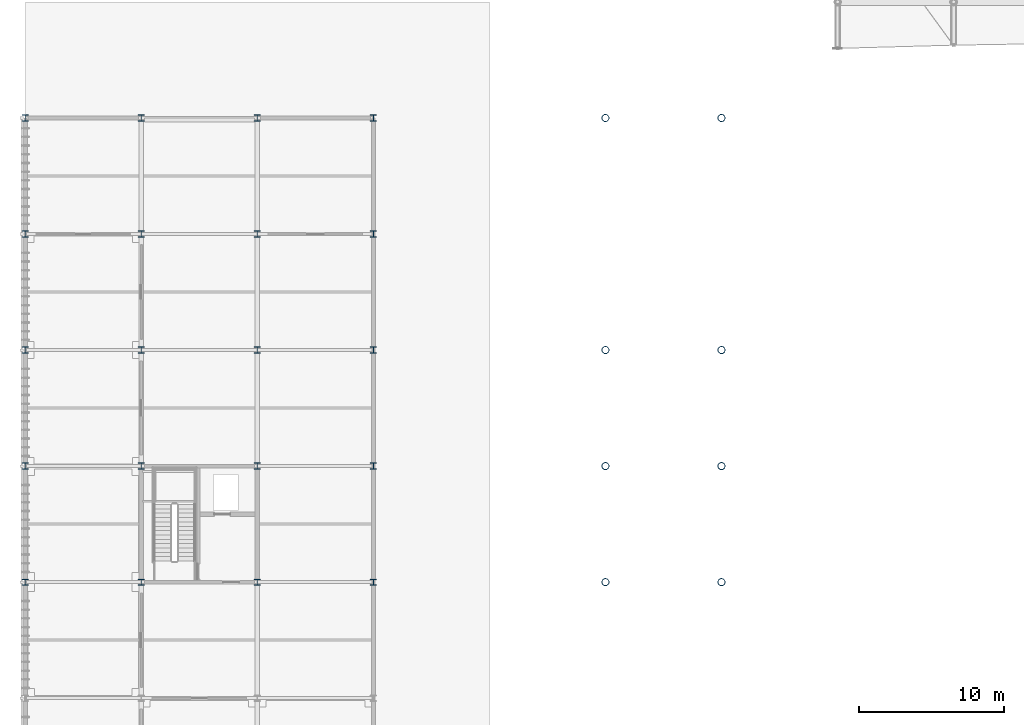
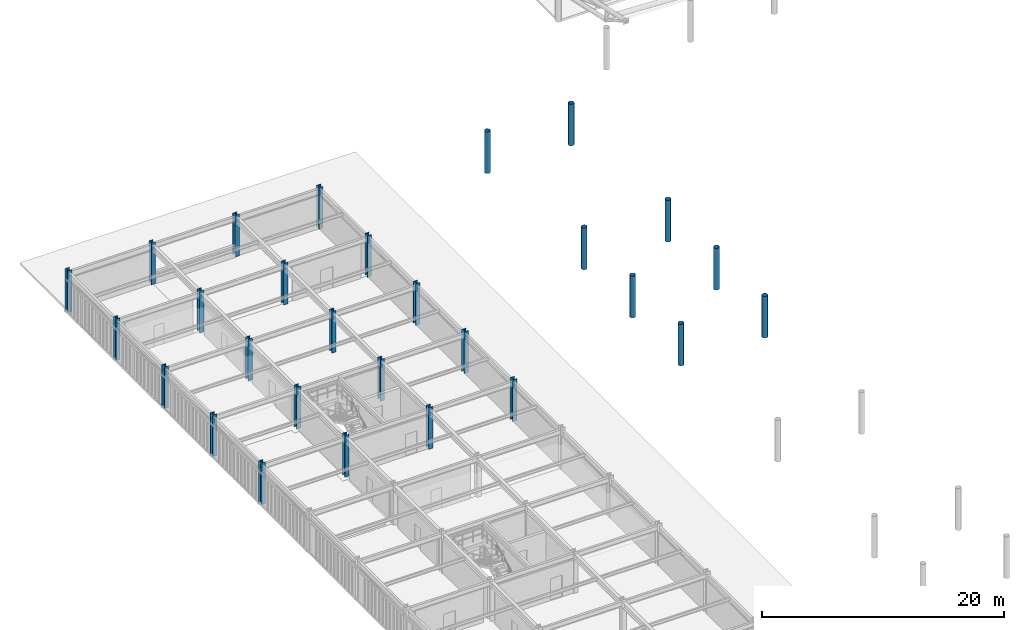
# One storey, part 4 of 54: 28 columns.
"""IFC4 building model written with IfcOpenShell, lengths in metres."""

from ifc_helpers import new_model, si_unit, direction, frame, origin, origin_2d, place, context, subcontext, project, spatial, hollow_circle, i_section, extrude, material, material_profile, profile_set, type_object, element, save


model = new_model("IFC4")

# Units and contexts
model_context = context("Model", 3, precision=1e-05, world=origin(), true_north=direction((0.0, 1.0)))
body_context = subcontext(model_context, "Body", "Model", "MODEL_VIEW")
ifc_project = project(units=[si_unit("LENGTHUNIT", "METRE"), si_unit("AREAUNIT", "SQUARE_METRE"), si_unit("VOLUMEUNIT", "CUBIC_METRE"), si_unit("PLANEANGLEUNIT", "RADIAN"), si_unit("MASSUNIT", "GRAM", prefix="KILO")], contexts=[model_context])

# Site, building, storey
site_placement = place(None, origin())
site = spatial("IfcSite", under=ifc_project, at=site_placement, CompositionType="ELEMENT")
building_placement = place(site_placement, origin())
building = spatial("IfcBuilding", under=site, at=building_placement, Name="Haebicheon Civic Stadium", CompositionType="ELEMENT")
storey_placement = place(building_placement, frame((0.0, 0.0, 22.800048828125)))
storey = spatial("IfcBuildingStorey", under=building, at=storey_placement, Name="L06", CompositionType="ELEMENT", Elevation=22.800048828125)

# Columns
ifc_material_1 = material(Name="White painted steel SM490", Category="steel")
ifc_material_profile_1 = material_profile(ifc_material_1, hollow_circle(Radius=0.25390625, WallThickness=0.02490234375, at=origin_2d()), Name="CHS-508.0x25.0")
ifc_profile_set_1 = profile_set([ifc_material_profile_1], Name="White painted steel SM490")
column_type_1 = type_object("IfcColumnType", Name="COL-ST-CHS508", PredefinedType="COLUMN", material=ifc_profile_set_1)
for number, where, z_axis, x_axis, name in (
    (1, (64.0, 104.0, 0.0), (0.0, 0.0, 1.0), (1.0, 0.0, 0.0), "Bowl/canopy support column 64/104 (L06)"),
    (2, (72.0, 104.0, 0.0), (0.0, 0.0, 1.0), (1.0, 0.0, 0.0), "Bowl/canopy support column 72/104 (L06)"),
    (3, (64.0, 112.0, 0.0), (0.0, 0.0, 1.0), (1.0, 0.0, 0.0), "Bowl/canopy support column 64/112 (L06)"),
    (4, (72.0, 112.0, 0.0), (0.0, 0.0, 1.0), (1.0, 0.0, 0.0), "Bowl/canopy support column 72/112 (L06)"),
    (5, (64.0, 120.0, 0.0), (0.0, 0.0, 1.0), (1.0, 0.0, 0.0), "Bowl/canopy support column 64/120 (L06)"),
    (6, (72.0, 120.0, 0.0), (0.0, 0.0, 1.0), (1.0, 0.0, 0.0), "Bowl/canopy support column 72/120 (L06)"),
    (7, (64.0, 136.0, 0.0), (0.0, 0.0, 1.0), (1.0, 0.0, 0.0), "Bowl/canopy support column 64/136 (L06)"),
    (8, (72.0, 136.0, 0.0), (0.0, 0.0, 1.0), (1.0, 0.0, 0.0), "Bowl/canopy support column 72/136 (L06)"),
):
    element("IfcColumn", number, at=place(storey_placement, frame(where, z_axis=z_axis, x_axis=x_axis)), inside=storey, type_object=column_type_1, material=ifc_profile_set_1, Name=name, PredefinedType="COLUMN", context=body_context, shape_type="SweptSolid", body=[
        extrude(hollow_circle(Radius=0.25390625, WallThickness=0.02490234375, at=origin_2d()), origin(), (0.0, 0.0, 1.0), 4.199951171875),
    ])
ifc_material_2 = material(Name="Steel SM490", Category="steel")
ifc_material_profile_2 = material_profile(ifc_material_2, i_section(OverallWidth=0.406982421875, OverallDepth=0.427978515625, WebThickness=0.02001953125, FlangeThickness=0.034912109375, at=origin_2d()), Name="H-428x407x20x35")
ifc_profile_set_2 = profile_set([ifc_material_profile_2], Name="Steel SM490")
column_type_2 = type_object("IfcColumnType", Name="COL-ST-H428", PredefinedType="COLUMN", material=ifc_profile_set_2)
for number, where, z_axis, x_axis, name in (
    (9, (24.0, 104.0, 0.0), (0.0, 0.0, 1.0), (1.0, 0.0, 0.0), "L06 column 4/P"),
    (10, (24.0, 112.0, 0.0), (0.0, 0.0, 1.0), (1.0, 0.0, 0.0), "L06 column 4/Q"),
    (11, (24.0, 120.0, 0.0), (0.0, 0.0, 1.0), (1.0, 0.0, 0.0), "L06 column 4/R"),
    (12, (24.0, 128.0, 0.0), (0.0, 0.0, 1.0), (1.0, 0.0, 0.0), "L06 column 4/S"),
    (13, (24.0, 136.0, 0.0), (0.0, 0.0, 1.0), (1.0, 0.0, 0.0), "L06 column 4/T"),
    (14, (32.0, 104.0, 0.0), (0.0, 0.0, 1.0), (1.0, 0.0, 0.0), "L06 column 5/P"),
    (15, (32.0, 112.0, 0.0), (0.0, 0.0, 1.0), (1.0, 0.0, 0.0), "L06 column 5/Q"),
    (16, (32.0, 120.0, 0.0), (0.0, 0.0, 1.0), (1.0, 0.0, 0.0), "L06 column 5/R"),
    (17, (32.0, 128.0, 0.0), (0.0, 0.0, 1.0), (1.0, 0.0, 0.0), "L06 column 5/S"),
    (18, (32.0, 136.0, 0.0), (0.0, 0.0, 1.0), (1.0, 0.0, 0.0), "L06 column 5/T"),
    (19, (40.0, 104.0, 0.0), (0.0, 0.0, 1.0), (1.0, 0.0, 0.0), "L06 column 6/P"),
    (20, (40.0, 112.0, 0.0), (0.0, 0.0, 1.0), (1.0, 0.0, 0.0), "L06 column 6/Q"),
    (21, (40.0, 120.0, 0.0), (0.0, 0.0, 1.0), (1.0, 0.0, 0.0), "L06 column 6/R"),
    (22, (40.0, 128.0, 0.0), (0.0, 0.0, 1.0), (1.0, 0.0, 0.0), "L06 column 6/S"),
    (23, (40.0, 136.0, 0.0), (0.0, 0.0, 1.0), (1.0, 0.0, 0.0), "L06 column 6/T"),
    (24, (48.0, 104.0, 0.0), (0.0, 0.0, 1.0), (1.0, 0.0, 0.0), "L06 column 7/P"),
    (25, (48.0, 112.0, 0.0), (0.0, 0.0, 1.0), (1.0, 0.0, 0.0), "L06 column 7/Q"),
    (26, (48.0, 120.0, 0.0), (0.0, 0.0, 1.0), (1.0, 0.0, 0.0), "L06 column 7/R"),
    (27, (48.0, 128.0, 0.0), (0.0, 0.0, 1.0), (1.0, 0.0, 0.0), "L06 column 7/S"),
    (28, (48.0, 136.0, 0.0), (0.0, 0.0, 1.0), (1.0, 0.0, 0.0), "L06 column 7/T"),
):
    element("IfcColumn", number, at=place(storey_placement, frame(where, z_axis=z_axis, x_axis=x_axis)), inside=storey, type_object=column_type_2, material=ifc_profile_set_2, Name=name, PredefinedType="COLUMN", context=body_context, shape_type="SweptSolid", body=[
        extrude(i_section(OverallWidth=0.406982421875, OverallDepth=0.427978515625, WebThickness=0.02001953125, FlangeThickness=0.034912109375, at=origin_2d()), origin(), (0.0, 0.0, 1.0), 4.199951171875),
    ])

save(model, "model.ifc")
